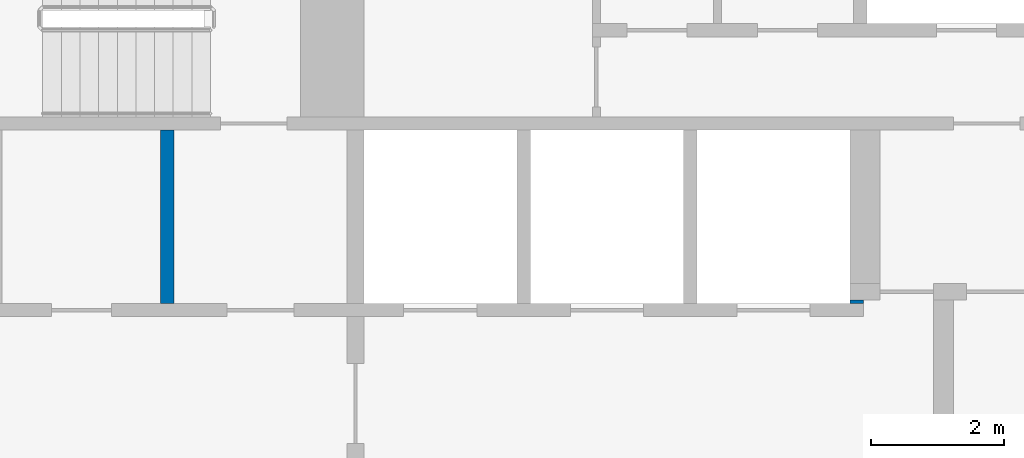
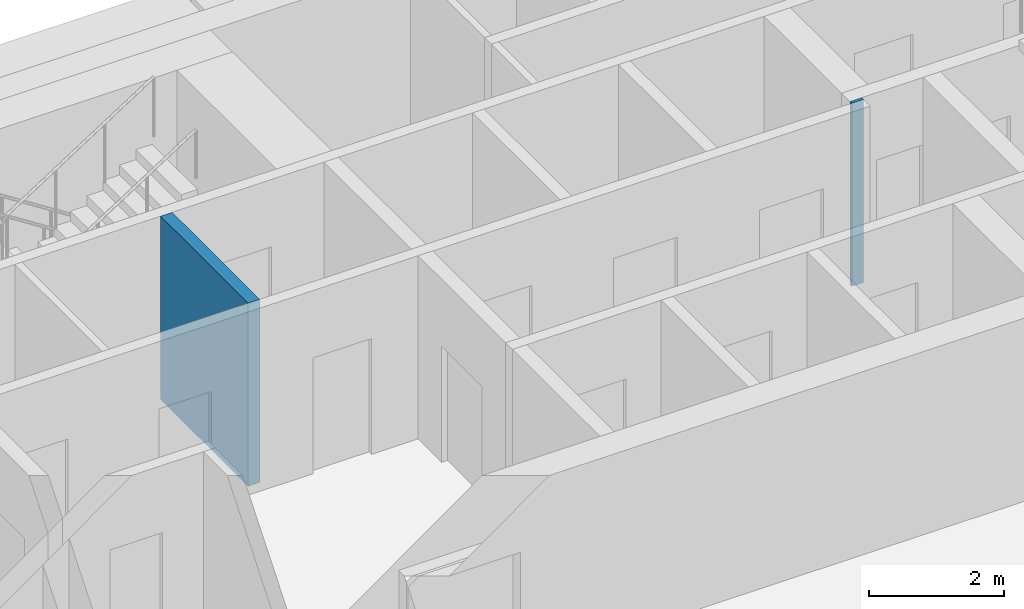
# One storey, part 19 of 26: 2 walls.
"""IFC4 building model written with IfcOpenShell, lengths in metres."""

from ifc_helpers import new_model, si_unit, direction, frame, frame_2d, origin, place, context, subcontext, project, spatial, rectangle, extrude, material, layer, layer_set, type_object, element, save


model = new_model("IFC4")

# Units and contexts
model_context = context("Model", 3, precision=1e-05, world=origin(), true_north=direction((0.0, 1.0)))
body_context = subcontext(model_context, "Body", "Model", "MODEL_VIEW")
ifc_project = project(units=[si_unit("LENGTHUNIT", "METRE"), si_unit("AREAUNIT", "SQUARE_METRE"), si_unit("VOLUMEUNIT", "CUBIC_METRE"), si_unit("PLANEANGLEUNIT", "RADIAN"), si_unit("MASSUNIT", "GRAM", prefix="KILO")], contexts=[model_context])

# Site, building, storey
site_placement = place(None, origin())
site = spatial("IfcSite", under=ifc_project, at=site_placement, CompositionType="ELEMENT")
building_placement = place(site_placement, origin())
building = spatial("IfcBuilding", under=site, at=building_placement, Name="Saffron Gate Tower", CompositionType="ELEMENT")
storey_placement = place(building_placement, frame((0.0, 0.0, 277.949951171875)))
storey = spatial("IfcBuildingStorey", under=building, at=storey_placement, Name="L67", CompositionType="ELEMENT", Elevation=277.949951171875)

# Walls
ifc_material_1 = material(Name="Gypsum board partition on steel studs", Category="steel")
ifc_layer_1 = layer(ifc_material_1, 0.199951171875)
ifc_layer_set_1 = layer_set([ifc_layer_1], Name="CW10 Core partition 200")
wall_type_1 = type_object("IfcWallType", Name="CW10 Core partition 200", PredefinedType="PARTITIONING", material=ifc_layer_set_1)
wall_1_placement = place(storey_placement, frame((88.699951171875, 68.0, 0.0), z_axis=(0.0, 0.0, 1.0), x_axis=(0.0, 1.0, 0.0)))
element("IfcWall", 1, at=wall_1_placement, inside=storey, type_object=wall_type_1, Name="Wall CW10-L67-23", PredefinedType="PARTITIONING", context=body_context, shape_type="SweptSolid", body=[
    extrude(rectangle(XDim=2.60009765625, YDim=0.199951171875, at=frame_2d((1.300048828125, 0.0))), origin(), (0.0, 0.0, 1.0), 3.320068359375),
])
ifc_material_2 = material(Name="Concrete C50", Category="concrete")
ifc_layer_2 = layer(ifc_material_2, 0.050048828125)
ifc_layer_set_2 = layer_set([ifc_layer_2], Name="CW27 RC core wall 50 C50")
wall_type_2 = type_object("IfcWallType", Name="CW27 RC core wall 50 C50", PredefinedType="SOLIDWALL", material=ifc_layer_set_2)
wall_2_placement = place(storey_placement, frame((98.949951171875, 68.02490234375, 0.0), z_axis=(0.0, 0.0, 1.0), x_axis=(1.0, 0.0, 0.0)))
element("IfcWall", 2, at=wall_2_placement, inside=storey, type_object=wall_type_2, Name="Wall CW27-L67-27", PredefinedType="SOLIDWALL", context=body_context, shape_type="SweptSolid", body=[
    extrude(rectangle(XDim=0.199951171875, YDim=0.050048828125, at=frame_2d((0.10009765625, 0.0))), origin(), (0.0, 0.0, 1.0), 3.320068359375),
])

save(model, "model.ifc")
